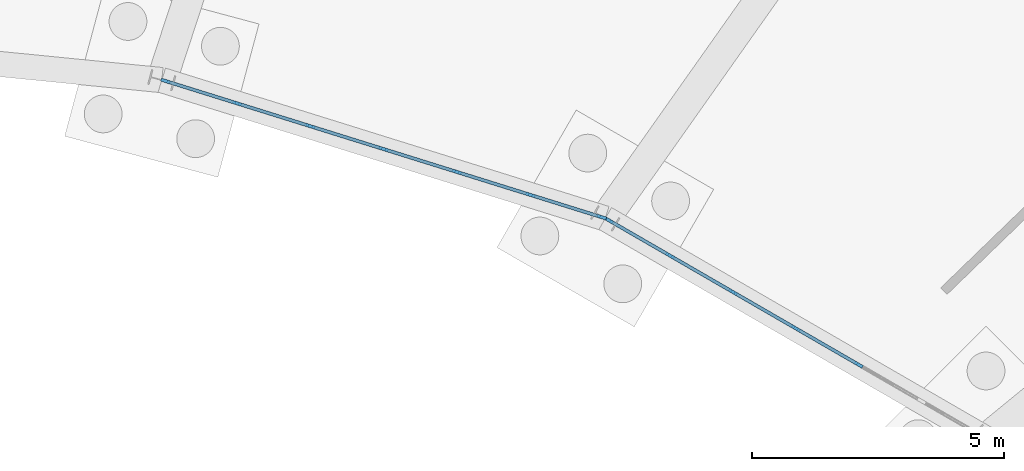
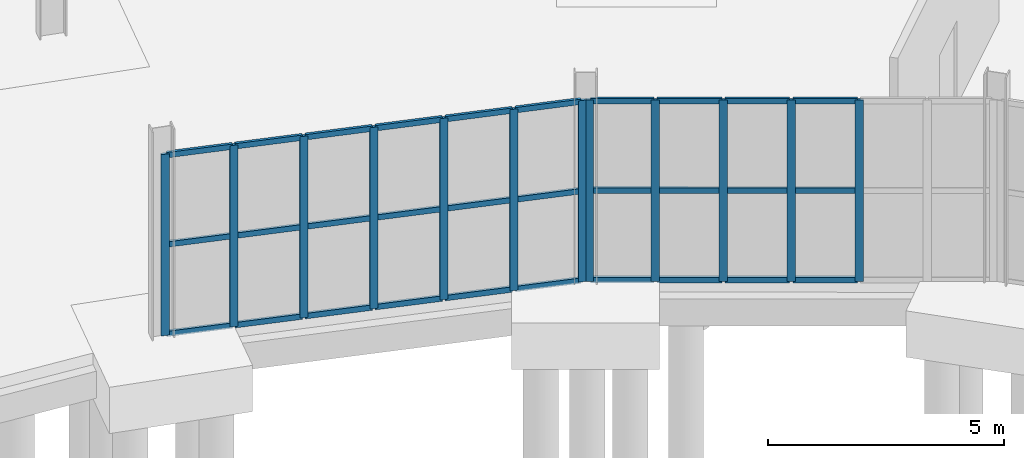
# One storey, part 62 of 118: 42 members, 2 elements without a shape of their own.
"""IFC4 building model written with IfcOpenShell, lengths in metres."""

from ifc_helpers import new_model, si_unit, direction, frame, origin, origin_2d, place, context, subcontext, project, spatial, rectangle, extrude, material, material_profile, profile_set, type_object, element, aggregate, save


model = new_model("IFC4")

# Units and contexts
model_context = context("Model", 3, precision=1e-05, world=origin(), true_north=direction((0.0, 1.0)))
body_context = subcontext(model_context, "Body", "Model", "MODEL_VIEW")
ifc_project = project(units=[si_unit("LENGTHUNIT", "METRE"), si_unit("AREAUNIT", "SQUARE_METRE"), si_unit("VOLUMEUNIT", "CUBIC_METRE"), si_unit("PLANEANGLEUNIT", "RADIAN"), si_unit("MASSUNIT", "GRAM", prefix="KILO")], contexts=[model_context])

# Site, building, storey
site_placement = place(None, origin())
site = spatial("IfcSite", under=ifc_project, at=site_placement, CompositionType="ELEMENT")
building_placement = place(site_placement, origin())
building = spatial("IfcBuilding", under=site, at=building_placement, Name="Kildeholm Park Wholesale Market", CompositionType="ELEMENT")
storey_placement = place(building_placement, origin())
storey = spatial("IfcBuildingStorey", under=building, at=storey_placement, Name="L00", CompositionType="ELEMENT", Elevation=0.0)

# Curtain wall, members
ifc_material_1 = material(Name="Anodised aluminium and low-E double-glazed glass", Category="aluminium")
curtain_wall_type = type_object("IfcCurtainWallType", Name="Market hall glazed arcade stick curtain wall CW-01", PredefinedType="NOTDEFINED", material=ifc_material_1)
curtain_wall_1_placement = place(storey_placement, origin())
curtain_wall_1 = element("IfcCurtainWall", 1, at=curtain_wall_1_placement, inside=storey, type_object=curtain_wall_type, Name="Curtain wall CW-V1-IN0-03 CW-0018", PredefinedType="NOTDEFINED")
ifc_material_2 = material(Name="Anodised aluminium", Category="aluminium")
ifc_material_profile_1 = material_profile(ifc_material_2, rectangle(XDim=0.06494140625, YDim=0.179931640625, at=origin_2d()), Name="CWM 65x180")
ifc_profile_set_1 = profile_set([ifc_material_profile_1], Name="Anodised aluminium")
member_type_1 = type_object("IfcMemberType", Name="Curtain-wall mullion CWM-1 CWM 65x180", PredefinedType="MULLION", material=ifc_profile_set_1)
member_1_placement = place(storey_placement, frame((122.28125, 110.412353515625, 0.0), z_axis=(0.0, 0.0, 1.0), x_axis=(-0.500489412982, -0.865742656621, 0.0)))
member_1 = element("IfcMember", 2, at=member_1_placement, type_object=member_type_1, Name="CW-01 mullion 3 MEM-0845", PredefinedType="MULLION", context=body_context, shape_type="SweptSolid", body=[
    extrude(rectangle(XDim=0.06494140625, YDim=0.179931640625, at=origin_2d()), origin(), (0.0, 0.0, 1.0), 4.699951171875),
])
member_2_placement = place(storey_placement, frame((121.032958984375, 111.134033203125, 0.0), z_axis=(0.0, 0.0, 1.0), x_axis=(-0.500489412982, -0.865742656621, 0.0)))
member_2 = element("IfcMember", 3, at=member_2_placement, type_object=member_type_1, Name="CW-01 mullion 4 MEM-0846", PredefinedType="MULLION", context=body_context, shape_type="SweptSolid", body=[
    extrude(rectangle(XDim=0.06494140625, YDim=0.179931640625, at=origin_2d()), origin(), (0.0, 0.0, 1.0), 4.699951171875),
])
member_3_placement = place(storey_placement, frame((119.78466796875, 111.855712890625, 0.0), z_axis=(0.0, 0.0, 1.0), x_axis=(-0.500489412982, -0.865742656621, 0.0)))
member_3 = element("IfcMember", 4, at=member_3_placement, type_object=member_type_1, Name="CW-01 mullion 5 MEM-0847", PredefinedType="MULLION", context=body_context, shape_type="SweptSolid", body=[
    extrude(rectangle(XDim=0.06494140625, YDim=0.179931640625, at=origin_2d()), origin(), (0.0, 0.0, 1.0), 4.699951171875),
])
member_4_placement = place(storey_placement, frame((118.536376953125, 112.577392578125, 0.0), z_axis=(0.0, 0.0, 1.0), x_axis=(-0.500489412982, -0.865742656621, 0.0)))
member_4 = element("IfcMember", 5, at=member_4_placement, type_object=member_type_1, Name="CW-01 mullion 6 MEM-0848", PredefinedType="MULLION", context=body_context, shape_type="SweptSolid", body=[
    extrude(rectangle(XDim=0.06494140625, YDim=0.179931640625, at=origin_2d()), origin(), (0.0, 0.0, 1.0), 4.699951171875),
])
member_5_placement = place(storey_placement, frame((117.316162109375, 113.28271484375, 0.0), z_axis=(0.0, 0.0, 1.0), x_axis=(-0.500489412982, -0.865742656621, 0.0)))
member_5 = element("IfcMember", 6, at=member_5_placement, type_object=member_type_1, Name="CW-01 mullion 7 MEM-0849", PredefinedType="MULLION", context=body_context, shape_type="SweptSolid", body=[
    extrude(rectangle(XDim=0.06494140625, YDim=0.179931640625, at=origin_2d()), origin(), (0.0, 0.0, 1.0), 4.699951171875),
])

curtain_wall_2_placement = place(storey_placement, origin())
curtain_wall_2 = element("IfcCurtainWall", 7, at=curtain_wall_2_placement, inside=storey, type_object=curtain_wall_type, Name="Curtain wall CW-V1-IN0-04 CW-0023", PredefinedType="NOTDEFINED")
member_6_placement = place(storey_placement, frame((117.182861328125, 113.340576171875, 0.0), z_axis=(0.0, 0.0, 1.0), x_axis=(-0.297957339818, -0.954579186683, 0.0)))
member_6 = element("IfcMember", 8, at=member_6_placement, type_object=member_type_1, Name="CW-01 mullion 1 MEM-0992", PredefinedType="MULLION", context=body_context, shape_type="SweptSolid", body=[
    extrude(rectangle(XDim=0.06494140625, YDim=0.179931640625, at=origin_2d()), origin(), (0.0, 0.0, 1.0), 4.699951171875),
])
member_7_placement = place(storey_placement, frame((115.759521484375, 113.784912109375, 0.0), z_axis=(0.0, 0.0, 1.0), x_axis=(-0.297957339818, -0.954579186683, 0.0)))
member_7 = element("IfcMember", 9, at=member_7_placement, type_object=member_type_1, Name="CW-01 mullion 2 MEM-0993", PredefinedType="MULLION", context=body_context, shape_type="SweptSolid", body=[
    extrude(rectangle(XDim=0.06494140625, YDim=0.179931640625, at=origin_2d()), origin(), (0.0, 0.0, 1.0), 4.699951171875),
])
member_8_placement = place(storey_placement, frame((114.304931640625, 114.239013671875, 0.0), z_axis=(0.0, 0.0, 1.0), x_axis=(-0.297957339818, -0.954579186683, 0.0)))
member_8 = element("IfcMember", 10, at=member_8_placement, type_object=member_type_1, Name="CW-01 mullion 3 MEM-0994", PredefinedType="MULLION", context=body_context, shape_type="SweptSolid", body=[
    extrude(rectangle(XDim=0.06494140625, YDim=0.179931640625, at=origin_2d()), origin(), (0.0, 0.0, 1.0), 4.699951171875),
])
member_9_placement = place(storey_placement, frame((112.8505859375, 114.693115234375, 0.0), z_axis=(0.0, 0.0, 1.0), x_axis=(-0.297957339818, -0.954579186683, 0.0)))
member_9 = element("IfcMember", 11, at=member_9_placement, type_object=member_type_1, Name="CW-01 mullion 4 MEM-0995", PredefinedType="MULLION", context=body_context, shape_type="SweptSolid", body=[
    extrude(rectangle(XDim=0.06494140625, YDim=0.179931640625, at=origin_2d()), origin(), (0.0, 0.0, 1.0), 4.699951171875),
])
member_10_placement = place(storey_placement, frame((111.39599609375, 115.14697265625, 0.0), z_axis=(0.0, 0.0, 1.0), x_axis=(-0.297957339818, -0.954579186683, 0.0)))
member_10 = element("IfcMember", 12, at=member_10_placement, type_object=member_type_1, Name="CW-01 mullion 5 MEM-0996", PredefinedType="MULLION", context=body_context, shape_type="SweptSolid", body=[
    extrude(rectangle(XDim=0.06494140625, YDim=0.179931640625, at=origin_2d()), origin(), (0.0, 0.0, 1.0), 4.699951171875),
])
member_11_placement = place(storey_placement, frame((109.94140625, 115.60107421875, 0.0), z_axis=(0.0, 0.0, 1.0), x_axis=(-0.297957339818, -0.954579186683, 0.0)))
member_11 = element("IfcMember", 13, at=member_11_placement, type_object=member_type_1, Name="CW-01 mullion 6 MEM-0997", PredefinedType="MULLION", context=body_context, shape_type="SweptSolid", body=[
    extrude(rectangle(XDim=0.06494140625, YDim=0.179931640625, at=origin_2d()), origin(), (0.0, 0.0, 1.0), 4.699951171875),
])
member_12_placement = place(storey_placement, frame((108.51806640625, 116.04541015625, 0.0), z_axis=(0.0, 0.0, 1.0), x_axis=(-0.297957339818, -0.954579186683, 0.0)))
member_12 = element("IfcMember", 14, at=member_12_placement, type_object=member_type_1, Name="CW-01 mullion 7 MEM-0998", PredefinedType="MULLION", context=body_context, shape_type="SweptSolid", body=[
    extrude(rectangle(XDim=0.06494140625, YDim=0.179931640625, at=origin_2d()), origin(), (0.0, 0.0, 1.0), 4.699951171875),
])

# Member
ifc_material_profile_2 = material_profile(ifc_material_2, rectangle(XDim=0.06494140625, YDim=0.139892578125, at=origin_2d()), Name="CWT 65x140")
ifc_profile_set_2 = profile_set([ifc_material_profile_2], Name="Anodised aluminium")
member_type_2 = type_object("IfcMemberType", Name="Curtain-wall transom CWT-1 CWT 65x140", PredefinedType="USERDEFINED", material=ifc_profile_set_2)
member_13_placement = place(storey_placement, frame((122.253173828125, 110.4287109375, 0.032470703125), z_axis=(-0.865810450204, 0.50037212584, 0.0), x_axis=(-0.50037212584, -0.865810450204, 0.0)))
member_13 = element("IfcMember", 15, at=member_13_placement, type_object=member_type_2, Name="CW-01 transom 3.1 MEM-0856", ObjectType="TRANSOM", PredefinedType="USERDEFINED", context=body_context, shape_type="SweptSolid", body=[
    extrude(rectangle(XDim=0.06494140625, YDim=0.139892578125, at=origin_2d()), origin(), (0.0, 0.0, 1.0), 1.376953125),
])

member_14_placement = place(storey_placement, frame((122.253173828125, 110.4287109375, 2.35009765625), z_axis=(-0.865810450204, 0.50037212584, 0.0), x_axis=(-0.50037212584, -0.865810450204, 0.0)))
member_14 = element("IfcMember", 16, at=member_14_placement, type_object=member_type_2, Name="CW-01 transom 3.2 MEM-0857", ObjectType="TRANSOM", PredefinedType="USERDEFINED", context=body_context, shape_type="SweptSolid", body=[
    extrude(rectangle(XDim=0.06494140625, YDim=0.139892578125, at=origin_2d()), origin(), (0.0, 0.0, 1.0), 1.376953125),
])

member_15_placement = place(storey_placement, frame((122.253173828125, 110.4287109375, 4.66748046875), z_axis=(-0.865810450204, 0.50037212584, 0.0), x_axis=(-0.50037212584, -0.865810450204, 0.0)))
member_15 = element("IfcMember", 17, at=member_15_placement, type_object=member_type_2, Name="CW-01 transom 3.3 MEM-0858", ObjectType="TRANSOM", PredefinedType="USERDEFINED", context=body_context, shape_type="SweptSolid", body=[
    extrude(rectangle(XDim=0.06494140625, YDim=0.139892578125, at=origin_2d()), origin(), (0.0, 0.0, 1.0), 1.376953125),
])

member_16_placement = place(storey_placement, frame((121.0048828125, 111.150146484375, 0.032470703125), z_axis=(-0.865733630758, 0.500505025523, 0.0), x_axis=(-0.500505025523, -0.865733630758, 0.0)))
member_16 = element("IfcMember", 18, at=member_16_placement, type_object=member_type_2, Name="CW-01 transom 4.1 MEM-0859", ObjectType="TRANSOM", PredefinedType="USERDEFINED", context=body_context, shape_type="SweptSolid", body=[
    extrude(rectangle(XDim=0.06494140625, YDim=0.139892578125, at=origin_2d()), origin(), (0.0, 0.0, 1.0), 1.376953125),
])

member_17_placement = place(storey_placement, frame((121.0048828125, 111.150146484375, 2.35009765625), z_axis=(-0.865733630758, 0.500505025523, 0.0), x_axis=(-0.500505025523, -0.865733630758, 0.0)))
member_17 = element("IfcMember", 19, at=member_17_placement, type_object=member_type_2, Name="CW-01 transom 4.2 MEM-0860", ObjectType="TRANSOM", PredefinedType="USERDEFINED", context=body_context, shape_type="SweptSolid", body=[
    extrude(rectangle(XDim=0.06494140625, YDim=0.139892578125, at=origin_2d()), origin(), (0.0, 0.0, 1.0), 1.376953125),
])

member_18_placement = place(storey_placement, frame((121.0048828125, 111.150146484375, 4.66748046875), z_axis=(-0.865733630758, 0.500505025523, 0.0), x_axis=(-0.500505025523, -0.865733630758, 0.0)))
member_18 = element("IfcMember", 20, at=member_18_placement, type_object=member_type_2, Name="CW-01 transom 4.3 MEM-0861", ObjectType="TRANSOM", PredefinedType="USERDEFINED", context=body_context, shape_type="SweptSolid", body=[
    extrude(rectangle(XDim=0.06494140625, YDim=0.139892578125, at=origin_2d()), origin(), (0.0, 0.0, 1.0), 1.376953125),
])

member_19_placement = place(storey_placement, frame((119.756591796875, 111.871826171875, 0.032470703125), z_axis=(-0.865733630758, 0.500505025523, 0.0), x_axis=(-0.500505025523, -0.865733630758, 0.0)))
member_19 = element("IfcMember", 21, at=member_19_placement, type_object=member_type_2, Name="CW-01 transom 5.1 MEM-0862", ObjectType="TRANSOM", PredefinedType="USERDEFINED", context=body_context, shape_type="SweptSolid", body=[
    extrude(rectangle(XDim=0.06494140625, YDim=0.139892578125, at=origin_2d()), origin(), (0.0, 0.0, 1.0), 1.376953125),
])

member_20_placement = place(storey_placement, frame((119.756591796875, 111.871826171875, 2.35009765625), z_axis=(-0.865733630758, 0.500505025523, 0.0), x_axis=(-0.500505025523, -0.865733630758, 0.0)))
member_20 = element("IfcMember", 22, at=member_20_placement, type_object=member_type_2, Name="CW-01 transom 5.2 MEM-0863", ObjectType="TRANSOM", PredefinedType="USERDEFINED", context=body_context, shape_type="SweptSolid", body=[
    extrude(rectangle(XDim=0.06494140625, YDim=0.139892578125, at=origin_2d()), origin(), (0.0, 0.0, 1.0), 1.376953125),
])

member_21_placement = place(storey_placement, frame((119.756591796875, 111.871826171875, 4.66748046875), z_axis=(-0.865733630758, 0.500505025523, 0.0), x_axis=(-0.500505025523, -0.865733630758, 0.0)))
member_21 = element("IfcMember", 23, at=member_21_placement, type_object=member_type_2, Name="CW-01 transom 5.3 MEM-0864", ObjectType="TRANSOM", PredefinedType="USERDEFINED", context=body_context, shape_type="SweptSolid", body=[
    extrude(rectangle(XDim=0.06494140625, YDim=0.139892578125, at=origin_2d()), origin(), (0.0, 0.0, 1.0), 1.376953125),
])

member_22_placement = place(storey_placement, frame((118.50830078125, 112.593505859375, 0.032470703125), z_axis=(-0.865774168037, 0.50043490082, 0.0), x_axis=(-0.50043490082, -0.865774168037, 0.0)))
member_22 = element("IfcMember", 24, at=member_22_placement, type_object=member_type_2, Name="CW-01 transom 6.1 MEM-0865", ObjectType="TRANSOM", PredefinedType="USERDEFINED", context=body_context, shape_type="SweptSolid", body=[
    extrude(rectangle(XDim=0.06494140625, YDim=0.139892578125, at=origin_2d()), origin(), (0.0, 0.0, 1.0), 1.344482421875),
])

member_23_placement = place(storey_placement, frame((118.50830078125, 112.593505859375, 2.35009765625), z_axis=(-0.865774168037, 0.50043490082, 0.0), x_axis=(-0.50043490082, -0.865774168037, 0.0)))
member_23 = element("IfcMember", 25, at=member_23_placement, type_object=member_type_2, Name="CW-01 transom 6.2 MEM-0866", ObjectType="TRANSOM", PredefinedType="USERDEFINED", context=body_context, shape_type="SweptSolid", body=[
    extrude(rectangle(XDim=0.06494140625, YDim=0.139892578125, at=origin_2d()), origin(), (0.0, 0.0, 1.0), 1.344482421875),
])

member_24_placement = place(storey_placement, frame((118.50830078125, 112.593505859375, 4.66748046875), z_axis=(-0.865774168037, 0.50043490082, 0.0), x_axis=(-0.50043490082, -0.865774168037, 0.0)))
member_24 = element("IfcMember", 26, at=member_24_placement, type_object=member_type_2, Name="CW-01 transom 6.3 MEM-0867", ObjectType="TRANSOM", PredefinedType="USERDEFINED", context=body_context, shape_type="SweptSolid", body=[
    extrude(rectangle(XDim=0.06494140625, YDim=0.139892578125, at=origin_2d()), origin(), (0.0, 0.0, 1.0), 1.344482421875),
])

aggregate(curtain_wall_1, [member_1, member_2, member_3, member_4, member_5, member_13, member_14, member_15, member_16, member_17, member_18, member_19, member_20, member_21, member_22, member_23, member_24])

member_25_placement = place(storey_placement, frame((117.15185546875, 113.350341796875, 0.032470703125), z_axis=(-0.954553055234, 0.298041045402, 0.0), x_axis=(-0.298041045402, -0.954553055234, 0.0)))
member_25 = element("IfcMember", 27, at=member_25_placement, type_object=member_type_2, Name="CW-01 transom 1.1 MEM-0999", ObjectType="TRANSOM", PredefinedType="USERDEFINED", context=body_context, shape_type="SweptSolid", body=[
    extrude(rectangle(XDim=0.06494140625, YDim=0.139892578125, at=origin_2d()), origin(), (0.0, 0.0, 1.0), 1.426025390625),
])

member_26_placement = place(storey_placement, frame((117.15185546875, 113.350341796875, 2.35009765625), z_axis=(-0.954553055234, 0.298041045402, 0.0), x_axis=(-0.298041045402, -0.954553055234, 0.0)))
member_26 = element("IfcMember", 28, at=member_26_placement, type_object=member_type_2, Name="CW-01 transom 1.2 MEM-1000", ObjectType="TRANSOM", PredefinedType="USERDEFINED", context=body_context, shape_type="SweptSolid", body=[
    extrude(rectangle(XDim=0.06494140625, YDim=0.139892578125, at=origin_2d()), origin(), (0.0, 0.0, 1.0), 1.426025390625),
])

member_27_placement = place(storey_placement, frame((117.15185546875, 113.350341796875, 4.66748046875), z_axis=(-0.954553055234, 0.298041045402, 0.0), x_axis=(-0.298041045402, -0.954553055234, 0.0)))
member_27 = element("IfcMember", 29, at=member_27_placement, type_object=member_type_2, Name="CW-01 transom 1.3 MEM-1001", ObjectType="TRANSOM", PredefinedType="USERDEFINED", context=body_context, shape_type="SweptSolid", body=[
    extrude(rectangle(XDim=0.06494140625, YDim=0.139892578125, at=origin_2d()), origin(), (0.0, 0.0, 1.0), 1.426025390625),
])

member_28_placement = place(storey_placement, frame((115.728515625, 113.794677734375, 0.032470703125), z_axis=(-0.954599016566, 0.297893802505, 0.0), x_axis=(-0.297893802505, -0.954599016566, 0.0)))
member_28 = element("IfcMember", 30, at=member_28_placement, type_object=member_type_2, Name="CW-01 transom 2.1 MEM-1002", ObjectType="TRANSOM", PredefinedType="USERDEFINED", context=body_context, shape_type="SweptSolid", body=[
    extrude(rectangle(XDim=0.06494140625, YDim=0.139892578125, at=origin_2d()), origin(), (0.0, 0.0, 1.0), 1.458740234375),
])

member_29_placement = place(storey_placement, frame((115.728515625, 113.794677734375, 2.35009765625), z_axis=(-0.954599016566, 0.297893802505, 0.0), x_axis=(-0.297893802505, -0.954599016566, 0.0)))
member_29 = element("IfcMember", 31, at=member_29_placement, type_object=member_type_2, Name="CW-01 transom 2.2 MEM-1003", ObjectType="TRANSOM", PredefinedType="USERDEFINED", context=body_context, shape_type="SweptSolid", body=[
    extrude(rectangle(XDim=0.06494140625, YDim=0.139892578125, at=origin_2d()), origin(), (0.0, 0.0, 1.0), 1.458740234375),
])

member_30_placement = place(storey_placement, frame((115.728515625, 113.794677734375, 4.66748046875), z_axis=(-0.954599016566, 0.297893802505, 0.0), x_axis=(-0.297893802505, -0.954599016566, 0.0)))
member_30 = element("IfcMember", 32, at=member_30_placement, type_object=member_type_2, Name="CW-01 transom 2.3 MEM-1004", ObjectType="TRANSOM", PredefinedType="USERDEFINED", context=body_context, shape_type="SweptSolid", body=[
    extrude(rectangle(XDim=0.06494140625, YDim=0.139892578125, at=origin_2d()), origin(), (0.0, 0.0, 1.0), 1.458740234375),
])

member_31_placement = place(storey_placement, frame((114.27392578125, 114.248779296875, 0.032470703125), z_axis=(-0.954584161709, 0.297941400639, 0.0), x_axis=(-0.297941400639, -0.954584161709, 0.0)))
member_31 = element("IfcMember", 33, at=member_31_placement, type_object=member_type_2, Name="CW-01 transom 3.1 MEM-1005", ObjectType="TRANSOM", PredefinedType="USERDEFINED", context=body_context, shape_type="SweptSolid", body=[
    extrude(rectangle(XDim=0.06494140625, YDim=0.139892578125, at=origin_2d()), origin(), (0.0, 0.0, 1.0), 1.45849609375),
])

member_32_placement = place(storey_placement, frame((114.27392578125, 114.248779296875, 2.35009765625), z_axis=(-0.954584161709, 0.297941400639, 0.0), x_axis=(-0.297941400639, -0.954584161709, 0.0)))
member_32 = element("IfcMember", 34, at=member_32_placement, type_object=member_type_2, Name="CW-01 transom 3.2 MEM-1006", ObjectType="TRANSOM", PredefinedType="USERDEFINED", context=body_context, shape_type="SweptSolid", body=[
    extrude(rectangle(XDim=0.06494140625, YDim=0.139892578125, at=origin_2d()), origin(), (0.0, 0.0, 1.0), 1.45849609375),
])

member_33_placement = place(storey_placement, frame((114.27392578125, 114.248779296875, 4.66748046875), z_axis=(-0.954584161709, 0.297941400639, 0.0), x_axis=(-0.297941400639, -0.954584161709, 0.0)))
member_33 = element("IfcMember", 35, at=member_33_placement, type_object=member_type_2, Name="CW-01 transom 3.3 MEM-1007", ObjectType="TRANSOM", PredefinedType="USERDEFINED", context=body_context, shape_type="SweptSolid", body=[
    extrude(rectangle(XDim=0.06494140625, YDim=0.139892578125, at=origin_2d()), origin(), (0.0, 0.0, 1.0), 1.45849609375),
])

member_34_placement = place(storey_placement, frame((112.819580078125, 114.70263671875, 0.032470703125), z_axis=(-0.954599016566, 0.297893802505, 0.0), x_axis=(-0.297893802505, -0.954599016566, 0.0)))
member_34 = element("IfcMember", 36, at=member_34_placement, type_object=member_type_2, Name="CW-01 transom 4.1 MEM-1008", ObjectType="TRANSOM", PredefinedType="USERDEFINED", context=body_context, shape_type="SweptSolid", body=[
    extrude(rectangle(XDim=0.06494140625, YDim=0.139892578125, at=origin_2d()), origin(), (0.0, 0.0, 1.0), 1.458740234375),
])

member_35_placement = place(storey_placement, frame((112.819580078125, 114.70263671875, 2.35009765625), z_axis=(-0.954599016566, 0.297893802505, 0.0), x_axis=(-0.297893802505, -0.954599016566, 0.0)))
member_35 = element("IfcMember", 37, at=member_35_placement, type_object=member_type_2, Name="CW-01 transom 4.2 MEM-1009", ObjectType="TRANSOM", PredefinedType="USERDEFINED", context=body_context, shape_type="SweptSolid", body=[
    extrude(rectangle(XDim=0.06494140625, YDim=0.139892578125, at=origin_2d()), origin(), (0.0, 0.0, 1.0), 1.458740234375),
])

member_36_placement = place(storey_placement, frame((112.819580078125, 114.70263671875, 4.66748046875), z_axis=(-0.954599016566, 0.297893802505, 0.0), x_axis=(-0.297893802505, -0.954599016566, 0.0)))
member_36 = element("IfcMember", 38, at=member_36_placement, type_object=member_type_2, Name="CW-01 transom 4.3 MEM-1010", ObjectType="TRANSOM", PredefinedType="USERDEFINED", context=body_context, shape_type="SweptSolid", body=[
    extrude(rectangle(XDim=0.06494140625, YDim=0.139892578125, at=origin_2d()), origin(), (0.0, 0.0, 1.0), 1.458740234375),
])

member_37_placement = place(storey_placement, frame((111.364990234375, 115.15673828125, 0.032470703125), z_axis=(-0.954599016566, 0.297893802505, 0.0), x_axis=(-0.297893802505, -0.954599016566, 0.0)))
member_37 = element("IfcMember", 39, at=member_37_placement, type_object=member_type_2, Name="CW-01 transom 5.1 MEM-1011", ObjectType="TRANSOM", PredefinedType="USERDEFINED", context=body_context, shape_type="SweptSolid", body=[
    extrude(rectangle(XDim=0.06494140625, YDim=0.139892578125, at=origin_2d()), origin(), (0.0, 0.0, 1.0), 1.458740234375),
])

member_38_placement = place(storey_placement, frame((111.364990234375, 115.15673828125, 2.35009765625), z_axis=(-0.954599016566, 0.297893802505, 0.0), x_axis=(-0.297893802505, -0.954599016566, 0.0)))
member_38 = element("IfcMember", 40, at=member_38_placement, type_object=member_type_2, Name="CW-01 transom 5.2 MEM-1012", ObjectType="TRANSOM", PredefinedType="USERDEFINED", context=body_context, shape_type="SweptSolid", body=[
    extrude(rectangle(XDim=0.06494140625, YDim=0.139892578125, at=origin_2d()), origin(), (0.0, 0.0, 1.0), 1.458740234375),
])

member_39_placement = place(storey_placement, frame((111.364990234375, 115.15673828125, 4.66748046875), z_axis=(-0.954599016566, 0.297893802505, 0.0), x_axis=(-0.297893802505, -0.954599016566, 0.0)))
member_39 = element("IfcMember", 41, at=member_39_placement, type_object=member_type_2, Name="CW-01 transom 5.3 MEM-1013", ObjectType="TRANSOM", PredefinedType="USERDEFINED", context=body_context, shape_type="SweptSolid", body=[
    extrude(rectangle(XDim=0.06494140625, YDim=0.139892578125, at=origin_2d()), origin(), (0.0, 0.0, 1.0), 1.458740234375),
])

member_40_placement = place(storey_placement, frame((109.910400390625, 115.610595703125, 0.032470703125), z_axis=(-0.954553055234, 0.298041045402, 0.0), x_axis=(-0.298041045402, -0.954553055234, 0.0)))
member_40 = element("IfcMember", 42, at=member_40_placement, type_object=member_type_2, Name="CW-01 transom 6.1 MEM-1014", ObjectType="TRANSOM", PredefinedType="USERDEFINED", context=body_context, shape_type="SweptSolid", body=[
    extrude(rectangle(XDim=0.06494140625, YDim=0.139892578125, at=origin_2d()), origin(), (0.0, 0.0, 1.0), 1.426025390625),
])

member_41_placement = place(storey_placement, frame((109.910400390625, 115.610595703125, 2.35009765625), z_axis=(-0.954553055234, 0.298041045402, 0.0), x_axis=(-0.298041045402, -0.954553055234, 0.0)))
member_41 = element("IfcMember", 43, at=member_41_placement, type_object=member_type_2, Name="CW-01 transom 6.2 MEM-1015", ObjectType="TRANSOM", PredefinedType="USERDEFINED", context=body_context, shape_type="SweptSolid", body=[
    extrude(rectangle(XDim=0.06494140625, YDim=0.139892578125, at=origin_2d()), origin(), (0.0, 0.0, 1.0), 1.426025390625),
])

member_42_placement = place(storey_placement, frame((109.910400390625, 115.610595703125, 4.66748046875), z_axis=(-0.954553055234, 0.298041045402, 0.0), x_axis=(-0.298041045402, -0.954553055234, 0.0)))
member_42 = element("IfcMember", 44, at=member_42_placement, type_object=member_type_2, Name="CW-01 transom 6.3 MEM-1016", ObjectType="TRANSOM", PredefinedType="USERDEFINED", context=body_context, shape_type="SweptSolid", body=[
    extrude(rectangle(XDim=0.06494140625, YDim=0.139892578125, at=origin_2d()), origin(), (0.0, 0.0, 1.0), 1.426025390625),
])

aggregate(curtain_wall_2, [member_6, member_7, member_8, member_9, member_10, member_11, member_12, member_25, member_26, member_27, member_28, member_29, member_30, member_31, member_32, member_33, member_34, member_35, member_36, member_37, member_38, member_39, member_40, member_41, member_42])

save(model, "model.ifc")
